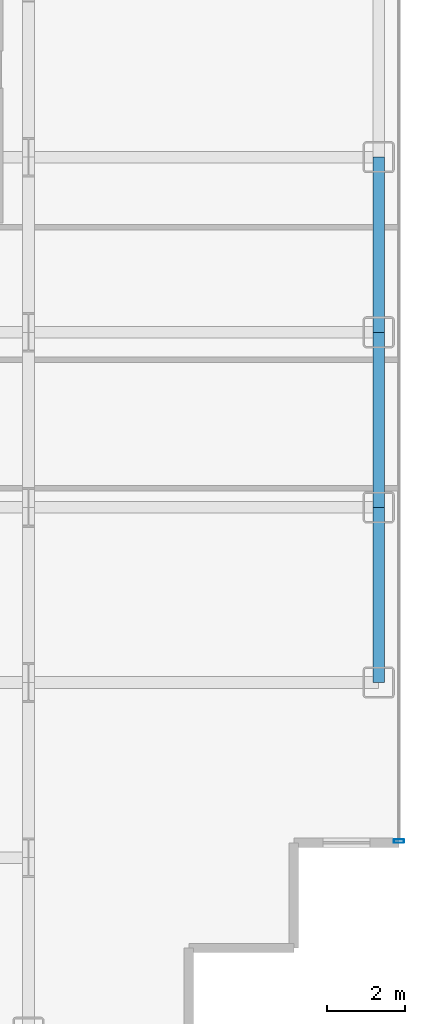
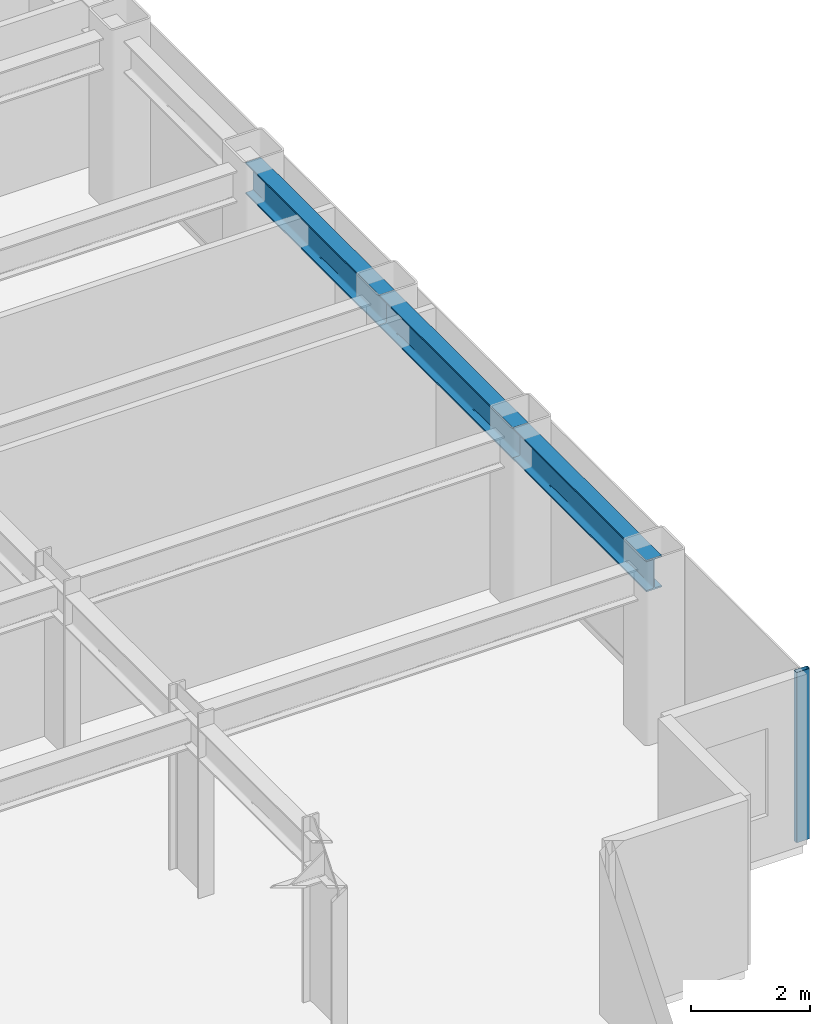
# One storey, part 16 of 26: 3 beams, 1 member, 1 element without a shape of its own.
"""IFC4 building model written with IfcOpenShell, lengths in metres."""

from ifc_helpers import new_model, si_unit, direction, frame, origin, origin_2d, place, context, subcontext, project, spatial, hollow_rectangle, i_section, extrude, source, transform, mapped, material, layer, layer_set, material_profile, profile_set, type_object, element, aggregate, save


model = new_model("IFC4")

# Units and contexts
model_context = context("Model", 3, precision=1e-05, world=origin(), true_north=direction((0.0, 1.0)))
body_context = subcontext(model_context, "Body", "Model", "MODEL_VIEW")
ifc_project = project(units=[si_unit("LENGTHUNIT", "METRE"), si_unit("AREAUNIT", "SQUARE_METRE"), si_unit("VOLUMEUNIT", "CUBIC_METRE"), si_unit("PLANEANGLEUNIT", "RADIAN"), si_unit("MASSUNIT", "GRAM", prefix="KILO")], contexts=[model_context])

# Site, building, storey
site_placement = place(None, origin())
site = spatial("IfcSite", under=ifc_project, at=site_placement, CompositionType="ELEMENT")
building_placement = place(site_placement, origin())
building = spatial("IfcBuilding", under=site, at=building_placement, Name="Nefas-Gora Pilgrimage Tower", CompositionType="ELEMENT")
storey_placement = place(building_placement, frame((0.0, 0.0, 140.199951171875)))
storey = spatial("IfcBuildingStorey", under=building, at=storey_placement, Name="L34", CompositionType="ELEMENT", Elevation=140.199951171875)

# Beams
ifc_material_1 = material(Name="Steel S355", Category="steel")
ifc_material_profile_1 = material_profile(ifc_material_1, i_section(OverallWidth=0.300048828125, OverallDepth=0.64990234375, WebThickness=0.01611328125, FlangeThickness=0.031005859375, FilletRadius=0.027099609375, at=origin_2d()), Name="HEB 650")
ifc_profile_set_1 = profile_set([ifc_material_profile_1], Name="Steel S355")
beam_type = type_object("IfcBeamType", Name="BM-SPN-HEB500", PredefinedType="SPANDREL", material=ifc_profile_set_1)
shared_shape_1 = source(origin(), body_context, "Body", "SweptSolid", [
    extrude(i_section(OverallWidth=0.300048828125, OverallDepth=0.64990234375, WebThickness=0.01611328125, FlangeThickness=0.031005859375, FilletRadius=0.027099609375, at=origin_2d()), origin(), (0.0, 0.0, 1.0), 4.5),
])
for number, where, z_axis, x_axis, name in (
    (1, (33.75, -13.5, 3.175048828125), (0.0, 1.0, 0.0), (-1.0, 0.0, 0.0), "L34 SP-02 beam"),
    (2, (33.75, -9.0, 3.175048828125), (0.0, 1.0, 0.0), (-1.0, 0.0, 0.0), "L34 SP-02 beam"),
    (3, (33.75, -4.5, 3.175048828125), (0.0, 1.0, 0.0), (-1.0, 0.0, 0.0), "L34 SP-02 beam"),
):
    element("IfcBeam", number, at=place(storey_placement, frame(where, z_axis=z_axis, x_axis=x_axis)), inside=storey, type_object=beam_type, Name=name, PredefinedType="SPANDREL", context=body_context, shape_type="MappedRepresentation", body=[
        mapped(shared_shape_1, transform((0.0, 0.0, 0.0), x_axis=(1.0, 0.0, 0.0), y_axis=(0.0, 1.0, 0.0), z_axis=(0.0, 0.0, 1.0), scale=1.0)),
    ])

# Curtain wall, member
ifc_material_2 = material(Name="Dark ceramic-fritted solar-control aluminium-glass curtain wall", Category="aluminium")
ifc_layer = layer(ifc_material_2, 0.219970703125)
ifc_layer_set = layer_set([ifc_layer], Name="Dark ceramic-fritted solar-control aluminium-glass curtain wall")
curtain_wall_type = type_object("IfcCurtainWallType", Name="CW-SYS-2", PredefinedType="NOTDEFINED", material=ifc_layer_set)
curtain_wall_placement = place(storey_placement, origin())
curtain_wall = element("IfcCurtainWall", 4, at=curtain_wall_placement, inside=storey, type_object=curtain_wall_type, Name="L34 Unitised Curtain Wall CW2", PredefinedType="NOTDEFINED")
ifc_material_3 = material(Name="Anodised architectural aluminium", Category="aluminium")
ifc_material_profile_2 = material_profile(ifc_material_3, hollow_rectangle(XDim=0.090087890625, YDim=0.260009765625, WallThickness=0.006103515625, InnerFilletRadius=0.006103515625, OuterFilletRadius=0.011962890625, at=origin_2d()), Name="ALU MULLION 90x260")
ifc_profile_set_2 = profile_set([ifc_material_profile_2], Name="Anodised architectural aluminium")
member_type = type_object("IfcMemberType", Name="CWM-MUL-2", PredefinedType="MULLION", material=ifc_profile_set_2)
shared_shape_2 = source(origin(), body_context, "Body", "SweptSolid", [
    extrude(hollow_rectangle(XDim=0.090087890625, YDim=0.260009765625, WallThickness=0.006103515625, InnerFilletRadius=0.006103515625, OuterFilletRadius=0.011962890625, at=origin_2d()), origin(), (0.0, 0.0, 1.0), 3.5),
])
member_placement = place(storey_placement, frame((34.27001953125, -17.574951171875, 0.0), z_axis=(0.0, 0.0, 1.0), x_axis=(0.0, 1.0, 0.0)))
member = element("IfcMember", 5, at=member_placement, type_object=member_type, Name="CW2 Mullion 1", PredefinedType="MULLION", context=body_context, shape_type="MappedRepresentation", body=[
    mapped(shared_shape_2, transform((0.0, 0.0, 0.0), x_axis=(1.0, 0.0, 0.0), y_axis=(0.0, 1.0, 0.0), z_axis=(0.0, 0.0, 1.0), scale=1.0)),
])
aggregate(curtain_wall, [member])

save(model, "model.ifc")
